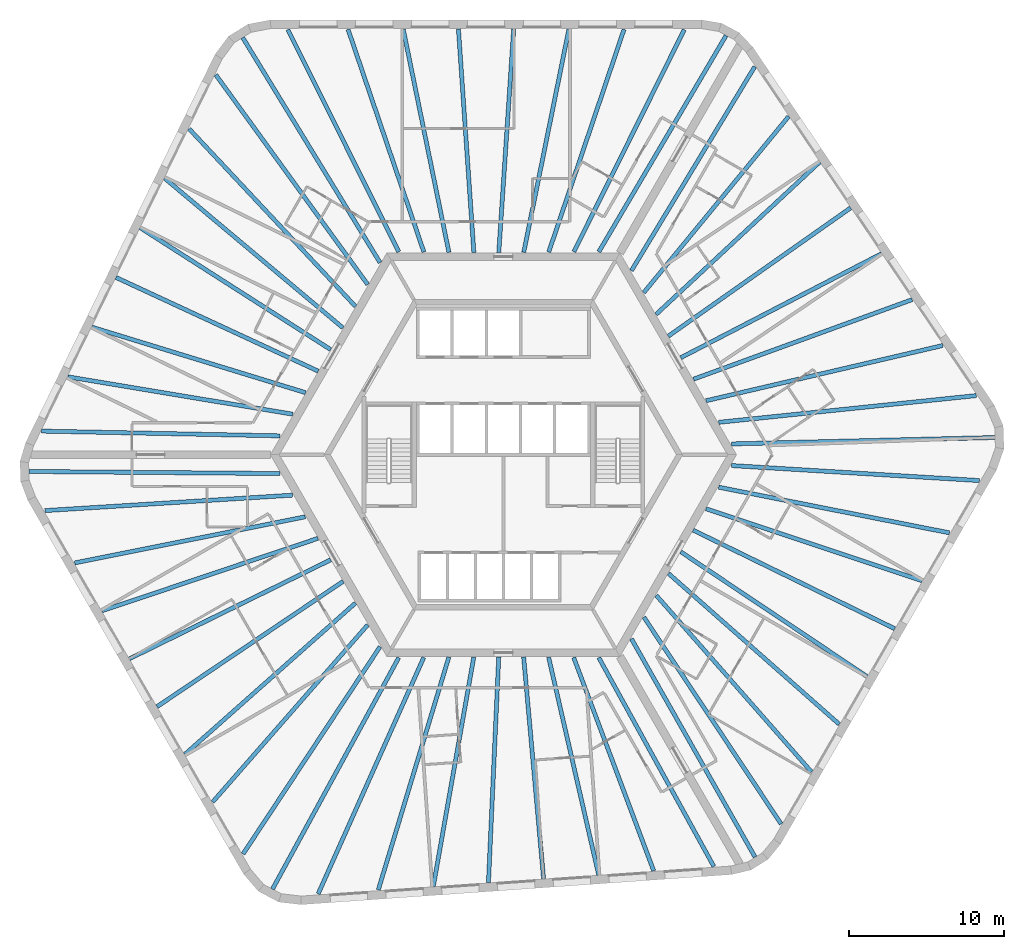
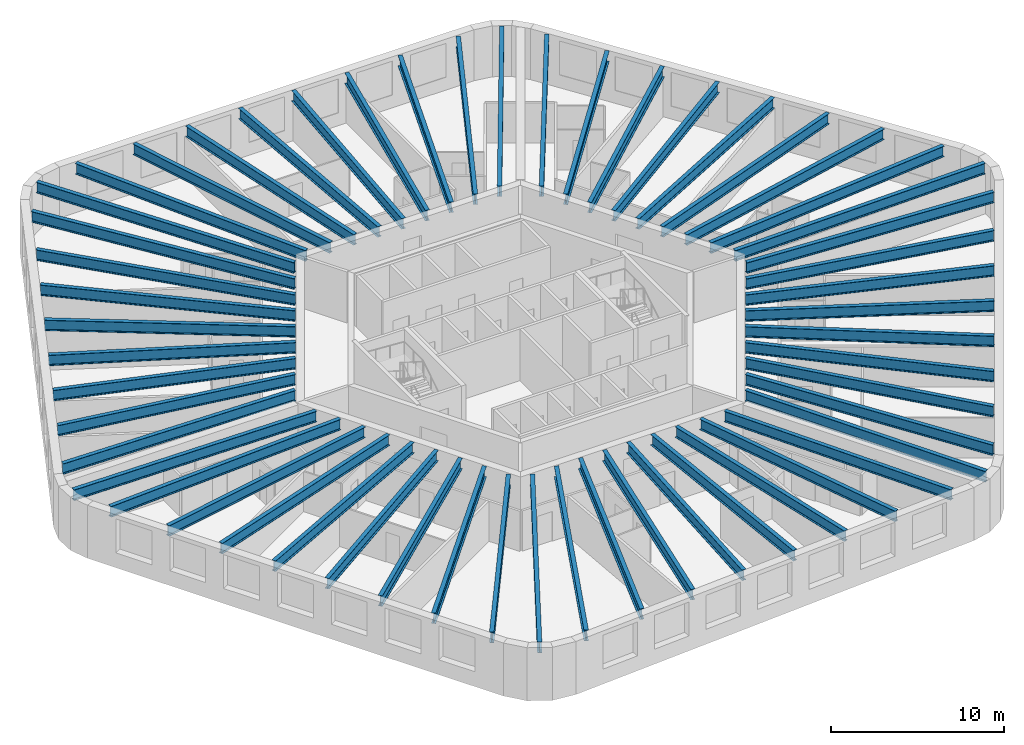
# One storey, part 1 of 10: 54 beams.
"""IFC4 building model written with IfcOpenShell, lengths in metres."""

from ifc_helpers import new_model, si_unit, direction, frame, origin, origin_2d, place, context, subcontext, project, spatial, i_section, extrude, material, material_profile, profile_set, type_object, element, save


model = new_model("IFC4")

# Units and contexts
model_context = context("Model", 3, precision=1e-05, world=origin(), true_north=direction((0.0, 1.0)))
body_context = subcontext(model_context, "Body", "Model", "MODEL_VIEW")
ifc_project = project(units=[si_unit("LENGTHUNIT", "METRE"), si_unit("AREAUNIT", "SQUARE_METRE"), si_unit("VOLUMEUNIT", "CUBIC_METRE"), si_unit("PLANEANGLEUNIT", "RADIAN"), si_unit("MASSUNIT", "GRAM", prefix="KILO")], contexts=[model_context])

# Site, building, storey
site_placement = place(None, origin())
site = spatial("IfcSite", under=ifc_project, at=site_placement, CompositionType="ELEMENT")
building_placement = place(site_placement, origin())
building = spatial("IfcBuilding", under=site, at=building_placement, Name="Tarnside Tower", CompositionType="ELEMENT")
storey_placement = place(building_placement, frame((0.0, 0.0, 246.300048828125)))
storey = spatial("IfcBuildingStorey", under=building, at=storey_placement, Name="L59", CompositionType="ELEMENT", Elevation=246.300048828125)

# Beams
ifc_material = material(Name="Steel S355", Category="steel")
ifc_material_profile_1 = material_profile(ifc_material, i_section(OverallWidth=0.26513671875, OverallDepth=0.75390625, WebThickness=0.0126953125, FlangeThickness=0.017578125, FilletRadius=0.0166015625, at=origin_2d()), Name="UB 762x267x147")
ifc_profile_set_1 = profile_set([ifc_material_profile_1], Name="Steel S355")
beam_type_1 = type_object("IfcBeamType", Name="Floor beam UB 762x267x147", PredefinedType="BEAM", material=ifc_profile_set_1)
beam_1_placement = place(storey_placement, frame((7.77001953125, 27.393310546875, 3.222900390625), z_axis=(-0.320362579778, -0.947295000239, 0.0), x_axis=(0.947295000239, -0.320362579778, 0.0)))
element("IfcBeam", 1, at=beam_1_placement, inside=storey, type_object=beam_type_1, Name="Floor beam F1.02", PredefinedType="BEAM", context=body_context, shape_type="SweptSolid", body=[
    extrude(i_section(OverallWidth=0.26513671875, OverallDepth=0.75390625, WebThickness=0.0126953125, FlangeThickness=0.017578125, FilletRadius=0.0166015625, at=origin_2d()), origin(), (0.0, 0.0, 1.0), 15.134033203125),
])
beam_2_placement = place(storey_placement, frame((4.218505859375, 27.410888671875, 3.222900390625), z_axis=(-0.19841777413, -0.980117537293, 0.0), x_axis=(0.980117537293, -0.19841777413, 0.0)))
element("IfcBeam", 2, at=beam_2_placement, inside=storey, type_object=beam_type_1, Name="Floor beam F1.03", PredefinedType="BEAM", context=body_context, shape_type="SweptSolid", body=[
    extrude(i_section(OverallWidth=0.26513671875, OverallDepth=0.75390625, WebThickness=0.0126953125, FlangeThickness=0.017578125, FilletRadius=0.0166015625, at=origin_2d()), origin(), (0.0, 0.0, 1.0), 14.6630859375),
])
beam_3_placement = place(storey_placement, frame((0.66259765625, 27.429931640625, 3.222900390625), z_axis=(-0.066554914868, -0.997782763585, 0.0), x_axis=(0.997782763585, -0.066554914868, 0.0)))
element("IfcBeam", 3, at=beam_3_placement, inside=storey, type_object=beam_type_1, Name="Floor beam F1.04", PredefinedType="BEAM", context=body_context, shape_type="SweptSolid", body=[
    extrude(i_section(OverallWidth=0.26513671875, OverallDepth=0.75390625, WebThickness=0.0126953125, FlangeThickness=0.017578125, FilletRadius=0.0166015625, at=origin_2d()), origin(), (0.0, 0.0, 1.0), 14.44189453125),
])
beam_4_placement = place(storey_placement, frame((-2.8974609375, 27.429931640625, 3.222900390625), z_axis=(0.068876921658, -0.997625164911, 0.0), x_axis=(0.997625164911, 0.068876921658, 0.0)))
element("IfcBeam", 4, at=beam_4_placement, inside=storey, type_object=beam_type_1, Name="Floor beam F1.05", PredefinedType="BEAM", context=body_context, shape_type="SweptSolid", body=[
    extrude(i_section(OverallWidth=0.26513671875, OverallDepth=0.75390625, WebThickness=0.0126953125, FlangeThickness=0.017578125, FilletRadius=0.0166015625, at=origin_2d()), origin(), (0.0, 0.0, 1.0), 14.4443359375),
])
beam_5_placement = place(storey_placement, frame((-6.45361328125, 27.410888671875, 3.222900390625), z_axis=(0.200623497398, -0.979668419564, 0.0), x_axis=(0.979668419564, 0.200623497398, 0.0)))
element("IfcBeam", 5, at=beam_5_placement, inside=storey, type_object=beam_type_1, Name="Floor beam F1.06", PredefinedType="BEAM", context=body_context, shape_type="SweptSolid", body=[
    extrude(i_section(OverallWidth=0.26513671875, OverallDepth=0.75390625, WebThickness=0.0126953125, FlangeThickness=0.017578125, FilletRadius=0.0166015625, at=origin_2d()), origin(), (0.0, 0.0, 1.0), 14.669921875),
])
beam_6_placement = place(storey_placement, frame((-10.0048828125, 27.393310546875, 3.222900390625), z_axis=(0.322343712034, -0.946622697442, 0.0), x_axis=(0.946622697442, 0.322343712034, 0.0)))
element("IfcBeam", 6, at=beam_6_placement, inside=storey, type_object=beam_type_1, Name="Floor beam F1.07", PredefinedType="BEAM", context=body_context, shape_type="SweptSolid", body=[
    extrude(i_section(OverallWidth=0.26513671875, OverallDepth=0.75390625, WebThickness=0.0126953125, FlangeThickness=0.017578125, FilletRadius=0.0166015625, at=origin_2d()), origin(), (0.0, 0.0, 1.0), 15.144775390625),
])
beam_7_placement = place(storey_placement, frame((-20.241455078125, 20.9892578125, 3.222900390625), z_axis=(0.683752330283, -0.729714156936, 0.0), x_axis=(0.729714156936, 0.683752330283, 0.0)))
element("IfcBeam", 7, at=beam_7_placement, inside=storey, type_object=beam_type_1, Name="Floor beam F2.02", PredefinedType="BEAM", context=body_context, shape_type="SweptSolid", body=[
    extrude(i_section(OverallWidth=0.26513671875, OverallDepth=0.75390625, WebThickness=0.0126953125, FlangeThickness=0.017578125, FilletRadius=0.0166015625, at=origin_2d()), origin(), (0.0, 0.0, 1.0), 15.6591796875),
])
beam_8_placement = place(storey_placement, frame((-21.81396484375, 17.80419921875, 3.222900390625), z_axis=(0.765948461073, -0.642901979294, 0.0), x_axis=(0.642901979294, 0.765948461073, 0.0)))
element("IfcBeam", 8, at=beam_8_placement, inside=storey, type_object=beam_type_1, Name="Floor beam F2.03", PredefinedType="BEAM", context=body_context, shape_type="SweptSolid", body=[
    extrude(i_section(OverallWidth=0.26513671875, OverallDepth=0.75390625, WebThickness=0.0126953125, FlangeThickness=0.017578125, FilletRadius=0.0166015625, at=origin_2d()), origin(), (0.0, 0.0, 1.0), 14.982177734375),
])
beam_9_placement = place(storey_placement, frame((-23.389892578125, 14.616455078125, 3.222900390625), z_axis=(0.842378275633, -0.538886667808, 0.0), x_axis=(0.538886667808, 0.842378275633, 0.0)))
element("IfcBeam", 9, at=beam_9_placement, inside=storey, type_object=beam_type_1, Name="Floor beam F2.04", PredefinedType="BEAM", context=body_context, shape_type="SweptSolid", body=[
    extrude(i_section(OverallWidth=0.26513671875, OverallDepth=0.75390625, WebThickness=0.0126953125, FlangeThickness=0.017578125, FilletRadius=0.0166015625, at=origin_2d()), origin(), (0.0, 0.0, 1.0), 14.5595703125),
])
beam_10_placement = place(storey_placement, frame((-24.9501953125, 11.416748046875, 3.222900390625), z_axis=(0.907310131748, -0.420462037321, 0.0), x_axis=(0.420462037321, 0.907310131748, 0.0)))
element("IfcBeam", 10, at=beam_10_placement, inside=storey, type_object=beam_type_1, Name="Floor beam F2.05", PredefinedType="BEAM", context=body_context, shape_type="SweptSolid", body=[
    extrude(i_section(OverallWidth=0.26513671875, OverallDepth=0.75390625, WebThickness=0.0126953125, FlangeThickness=0.017578125, FilletRadius=0.0166015625, at=origin_2d()), origin(), (0.0, 0.0, 1.0), 14.353515625),
])
beam_11_placement = place(storey_placement, frame((-26.510986328125, 8.2177734375, 3.222900390625), z_axis=(0.956073348261, -0.293127536654, 0.0), x_axis=(0.293127536654, 0.956073348261, 0.0)))
element("IfcBeam", 11, at=beam_11_placement, inside=storey, type_object=beam_type_1, Name="Floor beam F2.06", PredefinedType="BEAM", context=body_context, shape_type="SweptSolid", body=[
    extrude(i_section(OverallWidth=0.26513671875, OverallDepth=0.75390625, WebThickness=0.0126953125, FlangeThickness=0.017578125, FilletRadius=0.0166015625, at=origin_2d()), origin(), (0.0, 0.0, 1.0), 14.3955078125),
])
beam_12_placement = place(storey_placement, frame((-28.0517578125, 5.015869140625, 3.222900390625), z_axis=(0.986476498304, -0.163902770858, 0.0), x_axis=(0.163902770858, 0.986476498304, 0.0)))
element("IfcBeam", 12, at=beam_12_placement, inside=storey, type_object=beam_type_1, Name="Floor beam F2.07", PredefinedType="BEAM", context=body_context, shape_type="SweptSolid", body=[
    extrude(i_section(OverallWidth=0.26513671875, OverallDepth=0.75390625, WebThickness=0.0126953125, FlangeThickness=0.017578125, FilletRadius=0.0166015625, at=origin_2d()), origin(), (0.0, 0.0, 1.0), 14.680908203125),
])
beam_13_placement = place(storey_placement, frame((-29.73828125, 1.521484375, 3.222900390625), z_axis=(0.999800142641, -0.019991867701, 0.0), x_axis=(0.019991867701, 0.999800142641, 0.0)))
element("IfcBeam", 13, at=beam_13_placement, inside=storey, type_object=beam_type_1, Name="Floor beam F2.08", PredefinedType="BEAM", context=body_context, shape_type="SweptSolid", body=[
    extrude(i_section(OverallWidth=0.26513671875, OverallDepth=0.75390625, WebThickness=0.0126953125, FlangeThickness=0.017578125, FilletRadius=0.0166015625, at=origin_2d()), origin(), (0.0, 0.0, 1.0), 15.3505859375),
])
beam_14_placement = place(storey_placement, frame((-27.608154296875, -6.967529296875, 3.222900390625), z_axis=(0.980564540422, 0.196196794232, 0.0), x_axis=(-0.196196794232, 0.980564540422, 0.0)))
element("IfcBeam", 14, at=beam_14_placement, inside=storey, type_object=beam_type_1, Name="Floor beam F3.02", PredefinedType="BEAM", context=body_context, shape_type="SweptSolid", body=[
    extrude(i_section(OverallWidth=0.26513671875, OverallDepth=0.75390625, WebThickness=0.0126953125, FlangeThickness=0.017578125, FilletRadius=0.0166015625, at=origin_2d()), origin(), (0.0, 0.0, 1.0), 15.134033203125),
])
beam_15_placement = place(storey_placement, frame((-25.84765625, -10.052001953125, 3.222900390625), z_axis=(0.948011835322, 0.31823507049, 0.0), x_axis=(-0.31823507049, 0.948011835322, 0.0)))
element("IfcBeam", 15, at=beam_15_placement, inside=storey, type_object=beam_type_1, Name="Floor beam F3.03", PredefinedType="BEAM", context=body_context, shape_type="SweptSolid", body=[
    extrude(i_section(OverallWidth=0.26513671875, OverallDepth=0.75390625, WebThickness=0.0126953125, FlangeThickness=0.017578125, FilletRadius=0.0166015625, at=origin_2d()), origin(), (0.0, 0.0, 1.0), 14.662841796875),
])
beam_16_placement = place(storey_placement, frame((-24.086181640625, -13.141357421875, 3.222900390625), z_axis=(0.897375974806, 0.441266767206, 0.0), x_axis=(-0.441266767206, 0.897375974806, 0.0)))
element("IfcBeam", 16, at=beam_16_placement, inside=storey, type_object=beam_type_1, Name="Floor beam F3.04", PredefinedType="BEAM", context=body_context, shape_type="SweptSolid", body=[
    extrude(i_section(OverallWidth=0.26513671875, OverallDepth=0.75390625, WebThickness=0.0126953125, FlangeThickness=0.017578125, FilletRadius=0.0166015625, at=origin_2d()), origin(), (0.0, 0.0, 1.0), 14.442138671875),
])
beam_17_placement = place(storey_placement, frame((-22.306396484375, -16.224365234375, 3.222900390625), z_axis=(0.829532486243, 0.558458462437, 0.0), x_axis=(-0.558458462437, 0.829532486243, 0.0)))
element("IfcBeam", 17, at=beam_17_placement, inside=storey, type_object=beam_type_1, Name="Floor beam F3.05", PredefinedType="BEAM", context=body_context, shape_type="SweptSolid", body=[
    extrude(i_section(OverallWidth=0.26513671875, OverallDepth=0.75390625, WebThickness=0.0126953125, FlangeThickness=0.017578125, FilletRadius=0.0166015625, at=origin_2d()), origin(), (0.0, 0.0, 1.0), 14.444580078125),
])
beam_18_placement = place(storey_placement, frame((-20.51171875, -19.294189453125, 3.222900390625), z_axis=(0.74811408094, 0.663570133369, 0.0), x_axis=(-0.663570133369, 0.74811408094, 0.0)))
element("IfcBeam", 18, at=beam_18_placement, inside=storey, type_object=beam_type_1, Name="Floor beam F3.06", PredefinedType="BEAM", context=body_context, shape_type="SweptSolid", body=[
    extrude(i_section(OverallWidth=0.26513671875, OverallDepth=0.75390625, WebThickness=0.0126953125, FlangeThickness=0.017578125, FilletRadius=0.0166015625, at=origin_2d()), origin(), (0.0, 0.0, 1.0), 14.669677734375),
])
beam_19_placement = place(storey_placement, frame((-18.720703125, -22.361083984375, 3.222900390625), z_axis=(0.658621010302, 0.752474826681, 0.0), x_axis=(-0.752474826681, 0.658621010302, 0.0)))
element("IfcBeam", 19, at=beam_19_placement, inside=storey, type_object=beam_type_1, Name="Floor beam F3.07", PredefinedType="BEAM", context=body_context, shape_type="SweptSolid", body=[
    extrude(i_section(OverallWidth=0.26513671875, OverallDepth=0.75390625, WebThickness=0.0126953125, FlangeThickness=0.017578125, FilletRadius=0.0166015625, at=origin_2d()), origin(), (0.0, 0.0, 1.0), 15.144775390625),
])
beam_20_placement = place(storey_placement, frame((-8.056396484375, -28.024169921875, 3.222900390625), z_axis=(0.290070138838, 0.957005388989, 0.0), x_axis=(-0.957005388989, 0.290070138838, 0.0)))
element("IfcBeam", 20, at=beam_20_placement, inside=storey, type_object=beam_type_1, Name="Floor beam F4.02", PredefinedType="BEAM", context=body_context, shape_type="SweptSolid", body=[
    extrude(i_section(OverallWidth=0.26513671875, OverallDepth=0.75390625, WebThickness=0.0126953125, FlangeThickness=0.017578125, FilletRadius=0.0166015625, at=origin_2d()), origin(), (0.0, 0.0, 1.0), 15.6591796875),
])
beam_21_placement = place(storey_placement, frame((-4.511962890625, -27.793701171875, 3.222900390625), z_axis=(0.173788122681, 0.984783066678, 0.0), x_axis=(-0.984783066678, 0.173788122681, 0.0)))
element("IfcBeam", 21, at=beam_21_placement, inside=storey, type_object=beam_type_1, Name="Floor beam F4.03", PredefinedType="BEAM", context=body_context, shape_type="SweptSolid", body=[
    extrude(i_section(OverallWidth=0.26513671875, OverallDepth=0.75390625, WebThickness=0.0126953125, FlangeThickness=0.017578125, FilletRadius=0.0166015625, at=origin_2d()), origin(), (0.0, 0.0, 1.0), 14.982421875),
])
beam_22_placement = place(storey_placement, frame((-0.96337890625, -27.564453125, 3.222900390625), z_axis=(0.045509585226, 0.998963902077, 0.0), x_axis=(-0.998963902077, 0.045509585226, 0.0)))
element("IfcBeam", 22, at=beam_22_placement, inside=storey, type_object=beam_type_1, Name="Floor beam F4.04", PredefinedType="BEAM", context=body_context, shape_type="SweptSolid", body=[
    extrude(i_section(OverallWidth=0.26513671875, OverallDepth=0.75390625, WebThickness=0.0126953125, FlangeThickness=0.017578125, FilletRadius=0.0166015625, at=origin_2d()), origin(), (0.0, 0.0, 1.0), 14.5595703125),
])
beam_23_placement = place(storey_placement, frame((2.587890625, -27.31591796875, 3.222900390625), z_axis=(-0.089518916897, 0.995985122137, 0.0), x_axis=(-0.995985122137, -0.089518916897, 0.0)))
element("IfcBeam", 23, at=beam_23_placement, inside=storey, type_object=beam_type_1, Name="Floor beam F4.05", PredefinedType="BEAM", context=body_context, shape_type="SweptSolid", body=[
    extrude(i_section(OverallWidth=0.26513671875, OverallDepth=0.75390625, WebThickness=0.0126953125, FlangeThickness=0.017578125, FilletRadius=0.0166015625, at=origin_2d()), origin(), (0.0, 0.0, 1.0), 14.353515625),
])
beam_24_placement = place(storey_placement, frame((6.138671875, -27.068115234375, 3.222900390625), z_axis=(-0.224188122435, 0.974545886944, 0.0), x_axis=(-0.974545886944, -0.224188122435, 0.0)))
element("IfcBeam", 24, at=beam_24_placement, inside=storey, type_object=beam_type_1, Name="Floor beam F4.06", PredefinedType="BEAM", context=body_context, shape_type="SweptSolid", body=[
    extrude(i_section(OverallWidth=0.26513671875, OverallDepth=0.75390625, WebThickness=0.0126953125, FlangeThickness=0.017578125, FilletRadius=0.0166015625, at=origin_2d()), origin(), (0.0, 0.0, 1.0), 14.3955078125),
])
beam_25_placement = place(storey_placement, frame((9.681884765625, -26.801513671875, 3.222900390625), z_axis=(-0.351271055087, 0.936273809234, 0.0), x_axis=(-0.936273809234, -0.351271055087, 0.0)))
element("IfcBeam", 25, at=beam_25_placement, inside=storey, type_object=beam_type_1, Name="Floor beam F4.07", PredefinedType="BEAM", context=body_context, shape_type="SweptSolid", body=[
    extrude(i_section(OverallWidth=0.26513671875, OverallDepth=0.75390625, WebThickness=0.0126953125, FlangeThickness=0.017578125, FilletRadius=0.0166015625, at=origin_2d()), origin(), (0.0, 0.0, 1.0), 14.680908203125),
])
beam_26_placement = place(storey_placement, frame((13.551513671875, -26.514892578125, 3.222900390625), z_axis=(-0.482584088089, 0.875849643445, 0.0), x_axis=(-0.875849643445, -0.482584088089, 0.0)))
element("IfcBeam", 26, at=beam_26_placement, inside=storey, type_object=beam_type_1, Name="Floor beam F4.08", PredefinedType="BEAM", context=body_context, shape_type="SweptSolid", body=[
    extrude(i_section(OverallWidth=0.26513671875, OverallDepth=0.75390625, WebThickness=0.0126953125, FlangeThickness=0.017578125, FilletRadius=0.0166015625, at=origin_2d()), origin(), (0.0, 0.0, 1.0), 15.3505859375),
])
beam_27_placement = place(storey_placement, frame((19.838134765625, -20.425537109375, 3.222900390625), z_axis=(-0.660201214512, 0.751088780609, 0.0), x_axis=(-0.751088780609, -0.660201214512, 0.0)))
element("IfcBeam", 27, at=beam_27_placement, inside=storey, type_object=beam_type_1, Name="Floor beam F5.02", PredefinedType="BEAM", context=body_context, shape_type="SweptSolid", body=[
    extrude(i_section(OverallWidth=0.26513671875, OverallDepth=0.75390625, WebThickness=0.0126953125, FlangeThickness=0.017578125, FilletRadius=0.0166015625, at=origin_2d()), origin(), (0.0, 0.0, 1.0), 15.134033203125),
])
beam_28_placement = place(storey_placement, frame((21.629150390625, -17.358642578125, 3.222900390625), z_axis=(-0.749601662028, 0.661889226597, 0.0), x_axis=(-0.661889226597, -0.749601662028, 0.0)))
element("IfcBeam", 28, at=beam_28_placement, inside=storey, type_object=beam_type_1, Name="Floor beam F5.03", PredefinedType="BEAM", context=body_context, shape_type="SweptSolid", body=[
    extrude(i_section(OverallWidth=0.26513671875, OverallDepth=0.75390625, WebThickness=0.0126953125, FlangeThickness=0.017578125, FilletRadius=0.0166015625, at=origin_2d()), origin(), (0.0, 0.0, 1.0), 14.6630859375),
])
beam_29_placement = place(storey_placement, frame((23.423828125, -14.288818359375, 3.222900390625), z_axis=(-0.830825943553, 0.556532345439, 0.0), x_axis=(-0.556532345439, -0.830825943553, 0.0)))
element("IfcBeam", 29, at=beam_29_placement, inside=storey, type_object=beam_type_1, Name="Floor beam F5.04", PredefinedType="BEAM", context=body_context, shape_type="SweptSolid", body=[
    extrude(i_section(OverallWidth=0.26513671875, OverallDepth=0.75390625, WebThickness=0.0126953125, FlangeThickness=0.017578125, FilletRadius=0.0166015625, at=origin_2d()), origin(), (0.0, 0.0, 1.0), 14.4423828125),
])
beam_30_placement = place(storey_placement, frame((25.203857421875, -11.205810546875, 3.222900390625), z_axis=(-0.898407034897, 0.43916375038, 0.0), x_axis=(-0.43916375038, -0.898407034897, 0.0)))
element("IfcBeam", 30, at=beam_30_placement, inside=storey, type_object=beam_type_1, Name="Floor beam F5.05", PredefinedType="BEAM", context=body_context, shape_type="SweptSolid", body=[
    extrude(i_section(OverallWidth=0.26513671875, OverallDepth=0.75390625, WebThickness=0.0126953125, FlangeThickness=0.017578125, FilletRadius=0.0166015625, at=origin_2d()), origin(), (0.0, 0.0, 1.0), 14.444580078125),
])
beam_31_placement = place(storey_placement, frame((26.965087890625, -8.116455078125, 3.222900390625), z_axis=(-0.948728223501, 0.31609295774, 0.0), x_axis=(-0.31609295774, -0.948728223501, 0.0)))
element("IfcBeam", 31, at=beam_31_placement, inside=storey, type_object=beam_type_1, Name="Floor beam F5.06", PredefinedType="BEAM", context=body_context, shape_type="SweptSolid", body=[
    extrude(i_section(OverallWidth=0.26513671875, OverallDepth=0.75390625, WebThickness=0.0126953125, FlangeThickness=0.017578125, FilletRadius=0.0166015625, at=origin_2d()), origin(), (0.0, 0.0, 1.0), 14.669677734375),
])
beam_32_placement = place(storey_placement, frame((28.7255859375, -5.031982421875, 3.222900390625), z_axis=(-0.980974250646, 0.194137888034, 0.0), x_axis=(-0.194137888034, -0.980974250646, 0.0)))
element("IfcBeam", 32, at=beam_32_placement, inside=storey, type_object=beam_type_1, Name="Floor beam F5.07", PredefinedType="BEAM", context=body_context, shape_type="SweptSolid", body=[
    extrude(i_section(OverallWidth=0.26513671875, OverallDepth=0.75390625, WebThickness=0.0126953125, FlangeThickness=0.017578125, FilletRadius=0.0166015625, at=origin_2d()), origin(), (0.0, 0.0, 1.0), 15.144775390625),
])
beam_33_placement = place(storey_placement, frame((28.2978515625, 7.034912109375, 3.222900390625), z_axis=(-0.973828212928, -0.227285309042, 0.0), x_axis=(0.227285309042, -0.973828212928, 0.0)))
element("IfcBeam", 33, at=beam_33_placement, inside=storey, type_object=beam_type_1, Name="Floor beam F6.02", PredefinedType="BEAM", context=body_context, shape_type="SweptSolid", body=[
    extrude(i_section(OverallWidth=0.26513671875, OverallDepth=0.75390625, WebThickness=0.0126953125, FlangeThickness=0.017578125, FilletRadius=0.0166015625, at=origin_2d()), origin(), (0.0, 0.0, 1.0), 15.6591796875),
])
beam_34_placement = place(storey_placement, frame((26.325927734375, 9.989501953125, 3.222900390625), z_axis=(-0.939738697004, -0.341893523415, 0.0), x_axis=(0.341893523415, -0.939738697004, 0.0)))
element("IfcBeam", 34, at=beam_34_placement, inside=storey, type_object=beam_type_1, Name="Floor beam F6.03", PredefinedType="BEAM", context=body_context, shape_type="SweptSolid", body=[
    extrude(i_section(OverallWidth=0.26513671875, OverallDepth=0.75390625, WebThickness=0.0126953125, FlangeThickness=0.017578125, FilletRadius=0.0166015625, at=origin_2d()), origin(), (0.0, 0.0, 1.0), 14.982177734375),
])
beam_35_placement = place(storey_placement, frame((24.353271484375, 12.947998046875, 3.222900390625), z_axis=(-0.887881646639, -0.460071930856, 0.0), x_axis=(0.460071930856, -0.887881646639, 0.0)))
element("IfcBeam", 35, at=beam_35_placement, inside=storey, type_object=beam_type_1, Name="Floor beam F6.04", PredefinedType="BEAM", context=body_context, shape_type="SweptSolid", body=[
    extrude(i_section(OverallWidth=0.26513671875, OverallDepth=0.75390625, WebThickness=0.0126953125, FlangeThickness=0.017578125, FilletRadius=0.0166015625, at=origin_2d()), origin(), (0.0, 0.0, 1.0), 14.5595703125),
])
beam_36_placement = place(storey_placement, frame((22.3623046875, 15.899169921875, 3.222900390625), z_axis=(-0.817791001708, -0.575515314762, 0.0), x_axis=(0.575515314762, -0.817791001708, 0.0)))
element("IfcBeam", 36, at=beam_36_placement, inside=storey, type_object=beam_type_1, Name="Floor beam F6.05", PredefinedType="BEAM", context=body_context, shape_type="SweptSolid", body=[
    extrude(i_section(OverallWidth=0.26513671875, OverallDepth=0.75390625, WebThickness=0.0126953125, FlangeThickness=0.017578125, FilletRadius=0.0166015625, at=origin_2d()), origin(), (0.0, 0.0, 1.0), 14.353759765625),
])
beam_37_placement = place(storey_placement, frame((20.372314453125, 18.850341796875, 3.222900390625), z_axis=(-0.731892224456, -0.681420407517, 0.0), x_axis=(0.681420407517, -0.731892224456, 0.0)))
element("IfcBeam", 37, at=beam_37_placement, inside=storey, type_object=beam_type_1, Name="Floor beam F6.06", PredefinedType="BEAM", context=body_context, shape_type="SweptSolid", body=[
    extrude(i_section(OverallWidth=0.26513671875, OverallDepth=0.75390625, WebThickness=0.0126953125, FlangeThickness=0.017578125, FilletRadius=0.0166015625, at=origin_2d()), origin(), (0.0, 0.0, 1.0), 14.3955078125),
])
beam_38_placement = place(storey_placement, frame((18.369873046875, 21.78564453125, 3.222900390625), z_axis=(-0.635191827457, -0.772354414975, 0.0), x_axis=(0.772354414975, -0.635191827457, 0.0)))
element("IfcBeam", 38, at=beam_38_placement, inside=storey, type_object=beam_type_1, Name="Floor beam F6.07", PredefinedType="BEAM", context=body_context, shape_type="SweptSolid", body=[
    extrude(i_section(OverallWidth=0.26513671875, OverallDepth=0.75390625, WebThickness=0.0126953125, FlangeThickness=0.017578125, FilletRadius=0.0166015625, at=origin_2d()), origin(), (0.0, 0.0, 1.0), 14.680908203125),
])
beam_39_placement = place(storey_placement, frame((16.186767578125, 24.993408203125, 3.222900390625), z_axis=(-0.517208605106, -0.855859368591, 0.0), x_axis=(0.855859368591, -0.517208605106, 0.0)))
element("IfcBeam", 39, at=beam_39_placement, inside=storey, type_object=beam_type_1, Name="Floor beam F6.08", PredefinedType="BEAM", context=body_context, shape_type="SweptSolid", body=[
    extrude(i_section(OverallWidth=0.26513671875, OverallDepth=0.75390625, WebThickness=0.0126953125, FlangeThickness=0.017578125, FilletRadius=0.0166015625, at=origin_2d()), origin(), (0.0, 0.0, 1.0), 15.3505859375),
])
ifc_material_profile_2 = material_profile(ifc_material, i_section(OverallWidth=0.2666015625, OverallDepth=0.76220703125, WebThickness=0.014404296875, FlangeThickness=0.021484375, FilletRadius=0.0166015625, at=origin_2d()), Name="UB 762x267x173")
ifc_profile_set_2 = profile_set([ifc_material_profile_2], Name="Steel S355")
beam_type_2 = type_object("IfcBeamType", Name="Floor beam UB 762x267x173", PredefinedType="BEAM", material=ifc_profile_set_2)
beam_40_placement = place(storey_placement, frame((11.6494140625, 27.37841796875, 3.21875), z_axis=(-0.445042310328, -0.895509543231, 0.0), x_axis=(0.895509543231, -0.445042310328, 0.0)))
element("IfcBeam", 40, at=beam_40_placement, inside=storey, type_object=beam_type_2, Name="Floor beam F1.01", PredefinedType="BEAM", context=body_context, shape_type="SweptSolid", body=[
    extrude(i_section(OverallWidth=0.2666015625, OverallDepth=0.76220703125, WebThickness=0.014404296875, FlangeThickness=0.021484375, FilletRadius=0.0166015625, at=origin_2d()), origin(), (0.0, 0.0, 1.0), 15.976318359375),
])
beam_41_placement = place(storey_placement, frame((-13.884521484375, 27.37841796875, 3.21875), z_axis=(0.44673108957, -0.894668281326, 0.0), x_axis=(0.894668281326, 0.44673108957, 0.0)))
element("IfcBeam", 41, at=beam_41_placement, inside=storey, type_object=beam_type_2, Name="Floor beam F1.08", PredefinedType="BEAM", context=body_context, shape_type="SweptSolid", body=[
    extrude(i_section(OverallWidth=0.2666015625, OverallDepth=0.76220703125, WebThickness=0.014404296875, FlangeThickness=0.021484375, FilletRadius=0.0166015625, at=origin_2d()), origin(), (0.0, 0.0, 1.0), 15.9912109375),
])
beam_42_placement = place(storey_placement, frame((-16.79345703125, 26.86962890625, 3.21875), z_axis=(0.520940467881, -0.853593011291, 0.0), x_axis=(0.853593011291, 0.520940467881, 0.0)))
element("IfcBeam", 42, at=beam_42_placement, inside=storey, type_object=beam_type_2, Name="Floor beam C1", PredefinedType="BEAM", context=body_context, shape_type="SweptSolid", body=[
    extrude(i_section(OverallWidth=0.2666015625, OverallDepth=0.76220703125, WebThickness=0.014404296875, FlangeThickness=0.021484375, FilletRadius=0.0166015625, at=origin_2d()), origin(), (0.0, 0.0, 1.0), 16.980712890625),
])
beam_43_placement = place(storey_placement, frame((-18.52685546875, 24.471435546875, 3.21875), z_axis=(0.586791943415, -0.80973774467, 0.0), x_axis=(0.80973774467, 0.586791943415, 0.0)))
element("IfcBeam", 43, at=beam_43_placement, inside=storey, type_object=beam_type_2, Name="Floor beam F2.01", PredefinedType="BEAM", context=body_context, shape_type="SweptSolid", body=[
    extrude(i_section(OverallWidth=0.2666015625, OverallDepth=0.76220703125, WebThickness=0.014404296875, FlangeThickness=0.021484375, FilletRadius=0.0166015625, at=origin_2d()), origin(), (0.0, 0.0, 1.0), 16.67578125),
])
beam_44_placement = place(storey_placement, frame((-30.543212890625, -1.079345703125, 3.21875), z_axis=(0.999966072652, -0.008237326324, 0.0), x_axis=(0.008237326324, 0.999966072652, 0.0)))
element("IfcBeam", 44, at=beam_44_placement, inside=storey, type_object=beam_type_2, Name="Floor beam C2", PredefinedType="BEAM", context=body_context, shape_type="SweptSolid", body=[
    extrude(i_section(OverallWidth=0.2666015625, OverallDepth=0.76220703125, WebThickness=0.014404296875, FlangeThickness=0.021484375, FilletRadius=0.0166015625, at=origin_2d()), origin(), (0.0, 0.0, 1.0), 16.15283203125),
])
beam_45_placement = place(storey_placement, frame((-29.534912109375, -3.6005859375, 3.21875), z_axis=(0.99805531279, 0.062334521832, 0.0), x_axis=(-0.062334521832, 0.99805531279, 0.0)))
element("IfcBeam", 45, at=beam_45_placement, inside=storey, type_object=beam_type_2, Name="Floor beam F3.01", PredefinedType="BEAM", context=body_context, shape_type="SweptSolid", body=[
    extrude(i_section(OverallWidth=0.2666015625, OverallDepth=0.76220703125, WebThickness=0.014404296875, FlangeThickness=0.021484375, FilletRadius=0.0166015625, at=origin_2d()), origin(), (0.0, 0.0, 1.0), 15.975830078125),
])
beam_46_placement = place(storey_placement, frame((-16.768310546875, -25.71337890625, 3.21875), z_axis=(0.551447600123, 0.834209532623, 0.0), x_axis=(-0.834209532623, 0.551447600123, 0.0)))
element("IfcBeam", 46, at=beam_46_placement, inside=storey, type_object=beam_type_2, Name="Floor beam F3.08", PredefinedType="BEAM", context=body_context, shape_type="SweptSolid", body=[
    extrude(i_section(OverallWidth=0.2666015625, OverallDepth=0.76220703125, WebThickness=0.014404296875, FlangeThickness=0.021484375, FilletRadius=0.0166015625, at=origin_2d()), origin(), (0.0, 0.0, 1.0), 15.9912109375),
])
beam_47_placement = place(storey_placement, frame((-14.873046875, -27.978515625, 3.21875), z_axis=(0.478767512404, 0.877941723047, 0.0), x_axis=(-0.877941723047, 0.478767512404, 0.0)))
element("IfcBeam", 47, at=beam_47_placement, inside=storey, type_object=beam_type_2, Name="Floor beam C3", PredefinedType="BEAM", context=body_context, shape_type="SweptSolid", body=[
    extrude(i_section(OverallWidth=0.2666015625, OverallDepth=0.76220703125, WebThickness=0.014404296875, FlangeThickness=0.021484375, FilletRadius=0.0166015625, at=origin_2d()), origin(), (0.0, 0.0, 1.0), 16.98095703125),
])
beam_48_placement = place(storey_placement, frame((-11.929443359375, -28.280517578125, 3.21875), z_axis=(0.407852035629, 0.913048036542, 0.0), x_axis=(-0.913048036542, 0.407852035629, 0.0)))
element("IfcBeam", 48, at=beam_48_placement, inside=storey, type_object=beam_type_2, Name="Floor beam F4.01", PredefinedType="BEAM", context=body_context, shape_type="SweptSolid", body=[
    extrude(i_section(OverallWidth=0.2666015625, OverallDepth=0.76220703125, WebThickness=0.014404296875, FlangeThickness=0.021484375, FilletRadius=0.0166015625, at=origin_2d()), origin(), (0.0, 0.0, 1.0), 16.67578125),
])
beam_49_placement = place(storey_placement, frame((16.206298828125, -25.91162109375, 3.21875), z_axis=(-0.492847437034, 0.870115741616, 0.0), x_axis=(-0.870115741616, -0.492847437034, 0.0)))
element("IfcBeam", 49, at=beam_49_placement, inside=storey, type_object=beam_type_2, Name="Floor beam C4", PredefinedType="BEAM", context=body_context, shape_type="SweptSolid", body=[
    extrude(i_section(OverallWidth=0.2666015625, OverallDepth=0.76220703125, WebThickness=0.014404296875, FlangeThickness=0.021484375, FilletRadius=0.0166015625, at=origin_2d()), origin(), (0.0, 0.0, 1.0), 16.15283203125),
])
beam_50_placement = place(storey_placement, frame((17.8857421875, -23.77783203125, 3.21875), z_axis=(-0.553013371197, 0.833172377889, 0.0), x_axis=(-0.833172377889, -0.553013371197, 0.0)))
element("IfcBeam", 50, at=beam_50_placement, inside=storey, type_object=beam_type_2, Name="Floor beam F5.01", PredefinedType="BEAM", context=body_context, shape_type="SweptSolid", body=[
    extrude(i_section(OverallWidth=0.2666015625, OverallDepth=0.76220703125, WebThickness=0.014404296875, FlangeThickness=0.021484375, FilletRadius=0.0166015625, at=origin_2d()), origin(), (0.0, 0.0, 1.0), 15.97607421875),
])
beam_51_placement = place(storey_placement, frame((30.652587890625, -1.6650390625, 3.21875), z_axis=(-0.998170730858, 0.060458184371, 0.0), x_axis=(-0.060458184371, -0.998170730858, 0.0)))
element("IfcBeam", 51, at=beam_51_placement, inside=storey, type_object=beam_type_2, Name="Floor beam F5.08", PredefinedType="BEAM", context=body_context, shape_type="SweptSolid", body=[
    extrude(i_section(OverallWidth=0.2666015625, OverallDepth=0.76220703125, WebThickness=0.014404296875, FlangeThickness=0.021484375, FilletRadius=0.0166015625, at=origin_2d()), origin(), (0.0, 0.0, 1.0), 15.9912109375),
])
beam_52_placement = place(storey_placement, frame((31.66650390625, 1.108642578125, 3.21875), z_axis=(-0.999703706976, -0.024341287118, 0.0), x_axis=(0.024341287118, -0.999703706976, 0.0)))
element("IfcBeam", 52, at=beam_52_placement, inside=storey, type_object=beam_type_2, Name="Floor beam C5", PredefinedType="BEAM", context=body_context, shape_type="SweptSolid", body=[
    extrude(i_section(OverallWidth=0.2666015625, OverallDepth=0.76220703125, WebThickness=0.014404296875, FlangeThickness=0.021484375, FilletRadius=0.0166015625, at=origin_2d()), origin(), (0.0, 0.0, 1.0), 16.980712890625),
])
beam_53_placement = place(storey_placement, frame((30.456298828125, 3.80908203125, 3.21875), z_axis=(-0.994648352349, -0.103318222829, 0.0), x_axis=(0.103318222829, -0.994648352349, 0.0)))
element("IfcBeam", 53, at=beam_53_placement, inside=storey, type_object=beam_type_2, Name="Floor beam F6.01", PredefinedType="BEAM", context=body_context, shape_type="SweptSolid", body=[
    extrude(i_section(OverallWidth=0.2666015625, OverallDepth=0.76220703125, WebThickness=0.014404296875, FlangeThickness=0.021484375, FilletRadius=0.0166015625, at=origin_2d()), origin(), (0.0, 0.0, 1.0), 16.67578125),
])
beam_54_placement = place(storey_placement, frame((14.3369140625, 26.990966796875, 3.21875), z_axis=(-0.507115238706, -0.861878259775, 0.0), x_axis=(0.861878259775, -0.507115238706, 0.0)))
element("IfcBeam", 54, at=beam_54_placement, inside=storey, type_object=beam_type_2, Name="Floor beam C6", PredefinedType="BEAM", context=body_context, shape_type="SweptSolid", body=[
    extrude(i_section(OverallWidth=0.2666015625, OverallDepth=0.76220703125, WebThickness=0.014404296875, FlangeThickness=0.021484375, FilletRadius=0.0166015625, at=origin_2d()), origin(), (0.0, 0.0, 1.0), 16.15283203125),
])

save(model, "model.ifc")
